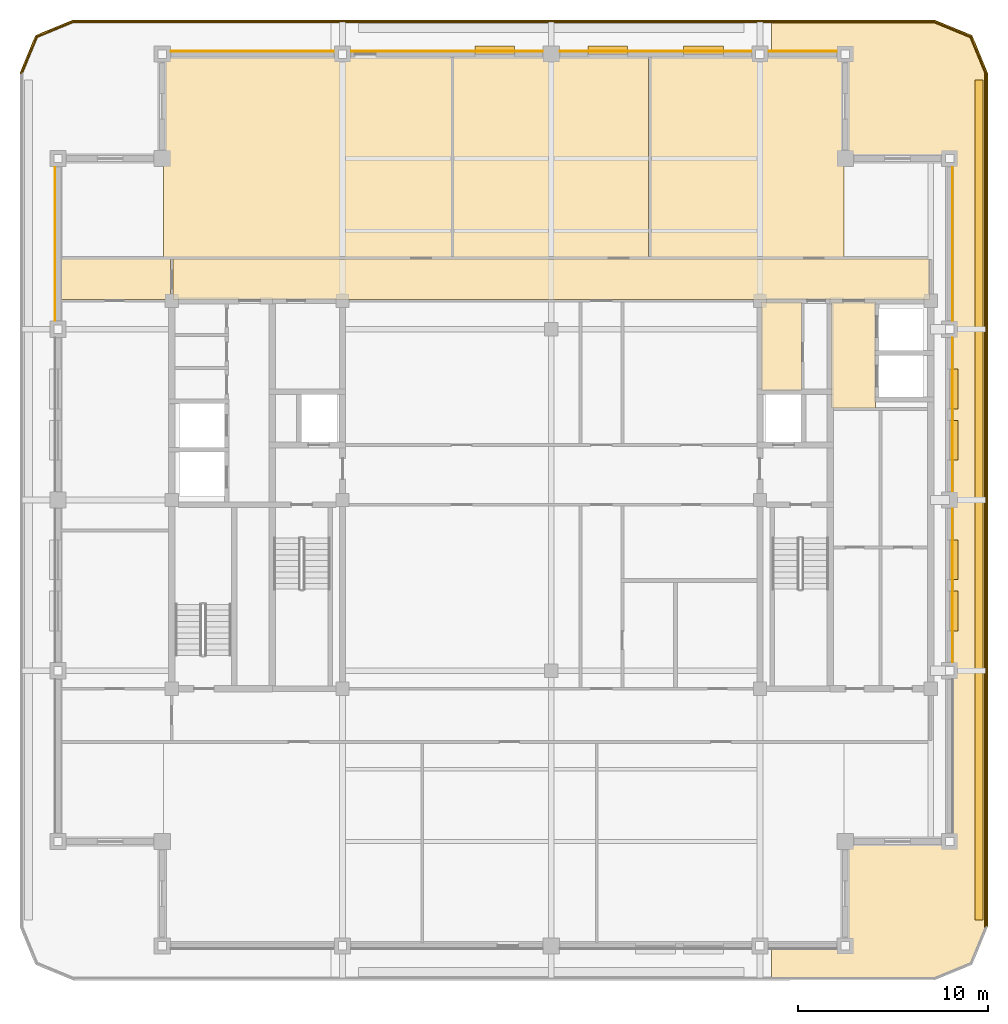
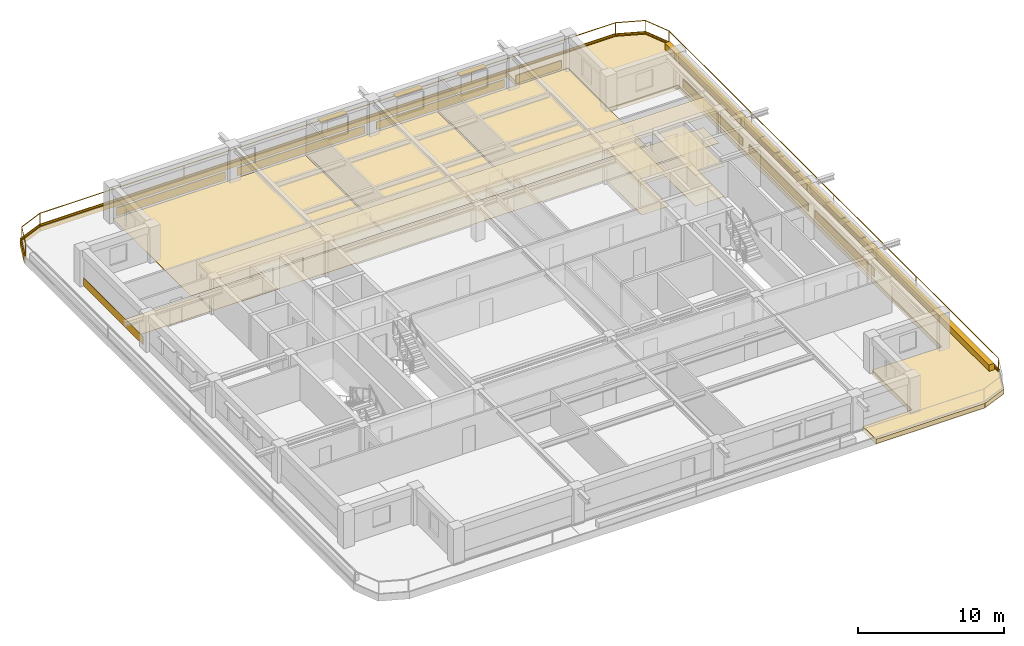
# One storey, part 11 of 11: 26 coverings, 7 shading devices, 2 railings.
"""IFC4 building model written with IfcOpenShell, lengths in metres."""

from ifc_helpers import new_model, si_unit, direction, frame, frame_2d, origin, origin_2d, place, context, subcontext, project, spatial, polyline, rectangle, outline, extrude, material, layer, layer_set, type_object, element, save


model = new_model("IFC4")

# Units and contexts
model_context = context("Model", 3, precision=1e-05, world=origin(), true_north=direction((0.0, 1.0)))
body_context = subcontext(model_context, "Body", "Model", "MODEL_VIEW")
ifc_project = project(units=[si_unit("LENGTHUNIT", "METRE"), si_unit("AREAUNIT", "SQUARE_METRE"), si_unit("VOLUMEUNIT", "CUBIC_METRE"), si_unit("PLANEANGLEUNIT", "RADIAN"), si_unit("MASSUNIT", "GRAM", prefix="KILO")], contexts=[model_context])

# Site, building, storey
site_placement = place(None, origin())
site = spatial("IfcSite", under=ifc_project, at=site_placement, CompositionType="ELEMENT")
building_placement = place(site_placement, origin())
building = spatial("IfcBuilding", under=site, at=building_placement, Name="Zulmaris Gate Convention Tower", CompositionType="ELEMENT")
storey_placement = place(building_placement, frame((0.0, 0.0, 257.659912109375)))
storey = spatial("IfcBuildingStorey", under=building, at=storey_placement, Name="L68", CompositionType="ELEMENT", Elevation=257.659912109375)

# Coverings
ifc_material_1 = material(Name="Precast concrete C40/50", Category="concrete")
ifc_layer_1 = layer(ifc_material_1, 0.0400390625, Name="Precast concrete C40/50")
ifc_layer_set_1 = layer_set([ifc_layer_1], Name="Precast concrete C40/50")
covering_type_1 = type_object("IfcCoveringType", Name="CLAD-SPANDREL-PRECAST", PredefinedType="CLADDING", material=ifc_layer_set_1)
covering_1_placement = place(storey_placement, frame((-11.455078125, 23.64990234375, 0.0), z_axis=(0.0, 0.0, 1.0), x_axis=(-1.0, 0.0, 0.0)))
element("IfcCovering", 1, at=covering_1_placement, inside=storey, type_object=covering_type_1, Name="CLD-L68-N-0_0", PredefinedType="CLADDING", context=body_context, shape_type="SweptSolid", body=[
    extrude(rectangle(XDim=8.58984375, YDim=0.0400390625, at=frame_2d((4.294921875, 0.0))), origin(), (0.0, 0.0, 1.0), 0.679931640625),
])
for number, where, z_axis, x_axis, name in (
    (2, (-0.455078125, 23.64990234375, 0.0), (0.0, 0.0, 1.0), (-1.0, 0.0, 0.0), "CLD-L68-N-1_0"),
    (3, (10.544921875, 23.64990234375, 0.0), (0.0, 0.0, 1.0), (-1.0, 0.0, 0.0), "CLD-L68-N-2_0"),
):
    element("IfcCovering", number, at=place(storey_placement, frame(where, z_axis=z_axis, x_axis=x_axis)), inside=storey, type_object=covering_type_1, Name=name, PredefinedType="CLADDING", context=body_context, shape_type="SweptSolid", body=[
        extrude(rectangle(XDim=10.08984375, YDim=0.0400390625, at=frame_2d((5.044921875, 0.0))), origin(), (0.0, 0.0, 1.0), 0.679931640625),
    ])
covering_2_placement = place(storey_placement, frame((15.044921875, 23.64990234375, 0.0), z_axis=(0.0, 0.0, 1.0), x_axis=(-1.0, 0.0, 0.0)))
element("IfcCovering", 4, at=covering_2_placement, inside=storey, type_object=covering_type_1, Name="CLD-L68-N-3_0", PredefinedType="CLADDING", context=body_context, shape_type="SweptSolid", body=[
    extrude(rectangle(XDim=3.58984375, YDim=0.0400390625, at=frame_2d((1.794921875, 0.0))), origin(), (0.0, 0.0, 1.0), 0.679931640625),
])
for number, where, z_axis, x_axis, name in (
    (5, (21.14990234375, -8.544921875, 0.0), (0.0, 0.0, 1.0), (0.0, 1.0, 0.0), "CLD-L68-E-1_0"),
    (6, (21.14990234375, 0.455078125, 0.0), (0.0, 0.0, 1.0), (0.0, 1.0, 0.0), "CLD-L68-E-2_0"),
    (7, (21.14990234375, 9.455078125, 0.0), (0.0, 0.0, 1.0), (0.0, 1.0, 0.0), "CLD-L68-E-3_0"),
    (8, (-26.14990234375, 17.544921875, 0.0), (0.0, 0.0, 1.0), (0.0, -1.0, 0.0), "CLD-L68-W-3_0"),
):
    element("IfcCovering", number, at=place(storey_placement, frame(where, z_axis=z_axis, x_axis=x_axis)), inside=storey, type_object=covering_type_1, Name=name, PredefinedType="CLADDING", context=body_context, shape_type="SweptSolid", body=[
        extrude(rectangle(XDim=8.08984375, YDim=0.0400390625, at=frame_2d((4.044921875, 0.0))), origin(), (0.0, 0.0, 1.0), 0.679931640625),
    ])
ifc_material_2 = material(Name="White Glazed Architectural Precast Concrete C40/50", Category="concrete")
ifc_layer_2 = layer(ifc_material_2, 0.239990234375, Name="White Glazed Architectural Precast Concrete C40/50")
ifc_layer_set_2 = layer_set([ifc_layer_2], Name="White Glazed Architectural Precast Concrete C40/50")
covering_type_2 = type_object("IfcCoveringType", Name="CLAD-TRAY-DECK", PredefinedType="CLADDING", material=ifc_layer_set_2)
covering_3_placement = place(storey_placement, frame((0.0, 0.0, -0.425048828125)))
element("IfcCovering", 9, at=covering_3_placement, inside=storey, type_object=covering_type_2, Name="L68 East Rounded-Fascia Planter Tray Deck", PredefinedType="CLADDING", context=body_context, shape_type="SweptSolid", body=[
    extrude(outline(polyline([(20.199951171875, 25.300048828125), (22.179931640625, 24.47998046875), (23.0, 22.5), (23.0, -22.5), (22.179931640625, -24.47998046875), (20.199951171875, -25.300048828125), (11.60205078125, -25.300048828125), (11.60205078125, -23.5), (15.5, -23.5), (15.5, -18.0), (21.0, -18.0), (21.0, 18.0), (15.5, 18.0), (15.5, 23.5), (11.60205078125, 23.5), (11.60205078125, 25.300048828125), (20.199951171875, 25.300048828125)])), origin(), (0.0, 0.0, 1.0), 0.385009765625),
])
ifc_layer_3 = layer(ifc_material_2, 0.080078125, Name="White Glazed Architectural Precast Concrete C40/50")
ifc_layer_set_3 = layer_set([ifc_layer_3], Name="White Glazed Architectural Precast Concrete C40/50")
covering_type_3 = type_object("IfcCoveringType", Name="CLAD-TRAY-FASCIA", PredefinedType="CLADDING", material=ifc_layer_set_3)
covering_4_placement = place(storey_placement, frame((22.9599609375, -22.5, -0.465087890625), z_axis=(0.0, 0.0, 1.0), x_axis=(0.0, 1.0, 0.0)))
element("IfcCovering", 10, at=covering_4_placement, inside=storey, type_object=covering_type_3, Name="FSC-L68-TR-05", PredefinedType="CLADDING", context=body_context, shape_type="SweptSolid", body=[
    extrude(rectangle(XDim=45.0, YDim=0.080078125, at=frame_2d((22.5, 0.0))), origin(), (0.0, 0.0, 1.0), 0.5849609375),
])
covering_5_placement = place(storey_placement, frame((22.962890625, 22.484619140625, -0.465087890625), z_axis=(0.0, 0.0, 1.0), x_axis=(-0.382656984709, 0.923890487046, 0.0)))
element("IfcCovering", 11, at=covering_5_placement, inside=storey, type_object=covering_type_3, Name="FSC-L68-TR-06", PredefinedType="CLADDING", context=body_context, shape_type="SweptSolid", body=[
    extrude(rectangle(XDim=2.14306640625, YDim=0.080078125, at=frame_2d((1.071533203125, 0.0))), origin(), (0.0, 0.0, 1.0), 0.5849609375),
])
covering_6_placement = place(storey_placement, frame((22.16455078125, 24.44287109375, -0.465087890625), z_axis=(0.0, 0.0, 1.0), x_axis=(-0.923873803533, 0.382697263049, 0.0)))
element("IfcCovering", 12, at=covering_6_placement, inside=storey, type_object=covering_type_3, Name="FSC-L68-TR-07", PredefinedType="CLADDING", context=body_context, shape_type="SweptSolid", body=[
    extrude(rectangle(XDim=2.142822265625, YDim=0.080078125, at=frame_2d((1.0712890625, 0.0))), origin(), (0.0, 0.0, 1.0), 0.5849609375),
])
covering_7_placement = place(storey_placement, frame((20.199951171875, 25.260009765625, -0.465087890625), z_axis=(0.0, 0.0, 1.0), x_axis=(-1.0, 0.0, 0.0)))
element("IfcCovering", 13, at=covering_7_placement, inside=storey, type_object=covering_type_3, Name="FSC-L68-TR-08", PredefinedType="CLADDING", context=body_context, shape_type="SweptSolid", body=[
    extrude(rectangle(XDim=45.39990234375, YDim=0.080078125, at=frame_2d((22.699951171875, 0.0))), origin(), (0.0, 0.0, 1.0), 0.5849609375),
])
covering_8_placement = place(storey_placement, frame((-25.184814453125, 25.262939453125, -0.465087890625), z_axis=(0.0, 0.0, 1.0), x_axis=(-0.923873803533, -0.382697263049, 0.0)))
element("IfcCovering", 14, at=covering_8_placement, inside=storey, type_object=covering_type_3, Name="FSC-L68-TR-09", PredefinedType="CLADDING", context=body_context, shape_type="SweptSolid", body=[
    extrude(rectangle(XDim=2.142822265625, YDim=0.080078125, at=frame_2d((1.0712890625, 0.0))), origin(), (0.0, 0.0, 1.0), 0.5849609375),
])
covering_9_placement = place(storey_placement, frame((-27.142822265625, 24.464599609375, -0.465087890625), z_axis=(0.0, 0.0, 1.0), x_axis=(-0.382656984709, -0.923890487046, 0.0)))
element("IfcCovering", 15, at=covering_9_placement, inside=storey, type_object=covering_type_3, Name="FSC-L68-TR-10", PredefinedType="CLADDING", context=body_context, shape_type="SweptSolid", body=[
    extrude(rectangle(XDim=2.14306640625, YDim=0.080078125, at=frame_2d((1.071533203125, 0.0))), origin(), (0.0, 0.0, 1.0), 0.5849609375),
])
ifc_material_3 = material(Name="Mineral Fibre Acoustic Ceiling Tile")
ifc_layer_4 = layer(ifc_material_3, 0.02001953125, Name="Mineral Fibre Acoustic Ceiling Tile")
ifc_layer_set_4 = layer_set([ifc_layer_4], Name="Mineral Fibre Acoustic Ceiling Tile")
covering_type_4 = type_object("IfcCoveringType", Name="CLG-ACOUSTIC-600", PredefinedType="CEILING", material=ifc_layer_set_4)
covering_10_placement = place(storey_placement, frame((0.0, 0.0, 2.5380859375)))
element("IfcCovering", 16, at=covering_10_placement, inside=storey, type_object=covering_type_4, Name="CLG-L68-R12", PredefinedType="CEILING", context=body_context, shape_type="SweptSolid", body=[
    extrude(outline(polyline([(11.06005859375, 5.760009765625), (13.18994140625, 5.760009765625), (13.18994140625, 10.43994140625), (11.06005859375, 10.43994140625), (11.06005859375, 5.760009765625)])), origin(), (0.0, 0.0, 1.0), 0.02001953125),
])
covering_11_placement = place(storey_placement, frame((0.0, 0.0, 2.5380859375)))
element("IfcCovering", 17, at=covering_11_placement, inside=storey, type_object=covering_type_4, Name="CLG-L68-R24", PredefinedType="CEILING", context=body_context, shape_type="SweptSolid", body=[
    extrude(outline(polyline([(14.760009765625, 4.860107421875), (17.090087890625, 4.860107421875), (17.090087890625, 10.43994140625), (14.760009765625, 10.43994140625), (14.760009765625, 4.860107421875)])), origin(), (0.0, 0.0, 1.0), 0.02001953125),
])
covering_12_placement = place(storey_placement, frame((0.0, 0.0, 2.5380859375)))
element("IfcCovering", 18, at=covering_12_placement, inside=storey, type_object=covering_type_4, Name="CLG-L68-R31", PredefinedType="CEILING", context=body_context, shape_type="SweptSolid", body=[
    extrude(outline(polyline([(-19.93994140625, 10.56005859375), (19.93994140625, 10.56005859375), (19.93994140625, 12.68994140625), (-19.93994140625, 12.68994140625), (-19.93994140625, 10.56005859375)])), origin(), (0.0, 0.0, 1.0), 0.02001953125),
])
ifc_material_4 = material(Name="Woven Acoustic Wool Carpet Tile")
ifc_layer_5 = layer(ifc_material_4, 0.02001953125, Name="Woven Acoustic Wool Carpet Tile")
ifc_layer_set_5 = layer_set([ifc_layer_5], Name="Woven Acoustic Wool Carpet Tile")
covering_type_5 = type_object("IfcCoveringType", Name="FLR-CARPET-12", PredefinedType="FLOORING", material=ifc_layer_set_5)
covering_13_placement = place(storey_placement, origin())
element("IfcCovering", 19, at=covering_13_placement, inside=storey, type_object=covering_type_5, Name="FLR-L68-R12", PredefinedType="FLOORING", context=body_context, shape_type="SweptSolid", body=[
    extrude(outline(polyline([(11.06005859375, 5.760009765625), (13.18994140625, 5.760009765625), (13.18994140625, 10.43994140625), (11.06005859375, 10.43994140625), (11.06005859375, 5.760009765625)])), origin(), (0.0, 0.0, 1.0), 0.02001953125),
])
covering_14_placement = place(storey_placement, origin())
element("IfcCovering", 20, at=covering_14_placement, inside=storey, type_object=covering_type_5, Name="FLR-L68-R24", PredefinedType="FLOORING", context=body_context, shape_type="SweptSolid", body=[
    extrude(outline(polyline([(14.760009765625, 4.860107421875), (17.090087890625, 4.860107421875), (17.090087890625, 10.43994140625), (14.760009765625, 10.43994140625), (14.760009765625, 4.860107421875)])), origin(), (0.0, 0.0, 1.0), 0.02001953125),
])
covering_15_placement = place(storey_placement, origin())
element("IfcCovering", 21, at=covering_15_placement, inside=storey, type_object=covering_type_5, Name="FLR-L68-R31", PredefinedType="FLOORING", context=body_context, shape_type="SweptSolid", body=[
    extrude(outline(polyline([(-19.93994140625, 10.56005859375), (19.93994140625, 10.56005859375), (19.93994140625, 12.68994140625), (-19.93994140625, 12.68994140625), (-19.93994140625, 10.56005859375)])), origin(), (0.0, 0.0, 1.0), 0.02001953125),
])
covering_16_placement = place(storey_placement, origin())
element("IfcCovering", 22, at=covering_16_placement, inside=storey, type_object=covering_type_5, Name="FLR-L68-R37", PredefinedType="FLOORING", context=body_context, shape_type="SweptSolid", body=[
    extrude(outline(polyline([(-5.139892578125, 12.81005859375), (5.139892578125, 12.81005859375), (5.139892578125, 23.43994140625), (-5.139892578125, 23.43994140625), (-5.139892578125, 12.81005859375)])), origin(), (0.0, 0.0, 1.0), 0.02001953125),
])
covering_17_placement = place(storey_placement, origin())
element("IfcCovering", 23, at=covering_17_placement, inside=storey, type_object=covering_type_5, Name="FLR-L68-R38", PredefinedType="FLOORING", context=body_context, shape_type="SweptSolid", body=[
    extrude(outline(polyline([(5.260009765625, 12.81005859375), (15.43994140625, 12.81005859375), (15.43994140625, 23.43994140625), (5.260009765625, 23.43994140625), (5.260009765625, 12.81005859375)])), origin(), (0.0, 0.0, 1.0), 0.02001953125),
])
covering_18_placement = place(storey_placement, origin())
element("IfcCovering", 24, at=covering_18_placement, inside=storey, type_object=covering_type_5, Name="FLR-L68-R48", PredefinedType="FLOORING", context=body_context, shape_type="SweptSolid", body=[
    extrude(outline(polyline([(-25.93994140625, 10.56005859375), (-20.06005859375, 10.56005859375), (-20.06005859375, 12.68994140625), (-25.93994140625, 12.68994140625), (-25.93994140625, 10.56005859375)])), origin(), (0.0, 0.0, 1.0), 0.02001953125),
])
ifc_material_5 = material(Name="Engineered Teak Parquet Flooring")
ifc_layer_6 = layer(ifc_material_5, 0.02001953125, Name="Engineered Teak Parquet Flooring")
ifc_layer_set_6 = layer_set([ifc_layer_6], Name="Engineered Teak Parquet Flooring")
covering_type_6 = type_object("IfcCoveringType", Name="FLR-TIMBER-18", PredefinedType="FLOORING", material=ifc_layer_set_6)
covering_19_placement = place(storey_placement, origin())
element("IfcCovering", 25, at=covering_19_placement, inside=storey, type_object=covering_type_6, Name="FLR-L68-R36", PredefinedType="FLOORING", context=body_context, shape_type="SweptSolid", body=[
    extrude(outline(polyline([(-20.43994140625, 12.81005859375), (-5.260009765625, 12.81005859375), (-5.260009765625, 23.43994140625), (-20.43994140625, 23.43994140625), (-20.43994140625, 12.81005859375)])), origin(), (0.0, 0.0, 1.0), 0.02001953125),
])
ifc_material_6 = material(Name="Botanical Green Glazed Precast Concrete C40/50", Category="concrete")
ifc_layer_7 = layer(ifc_material_6, 0.419921875, Name="Botanical Green Glazed Precast Concrete C40/50")
ifc_layer_set_7 = layer_set([ifc_layer_7], Name="Botanical Green Glazed Precast Concrete C40/50")
covering_type_7 = type_object("IfcCoveringType", Name="PLANTER-BOX-200", PredefinedType="CLADDING", material=ifc_layer_set_7)
covering_20_placement = place(storey_placement, frame((0.0, 0.0, -0.0400390625)))
element("IfcCovering", 26, at=covering_20_placement, inside=storey, type_object=covering_type_7, Name="L68 E Full-Length Balcony Tree Planter Trough", PredefinedType="CLADDING", context=body_context, shape_type="SweptSolid", body=[
    extrude(outline(polyline([(22.340087890625, -22.14990234375), (22.760009765625, -22.14990234375), (22.760009765625, 22.14990234375), (22.340087890625, 22.14990234375), (22.340087890625, -22.14990234375)])), origin(), (0.0, 0.0, 1.0), 0.52001953125),
])

# Railings
ifc_material_7 = material(Name="Laminated Glass and Stainless Steel", Category="steel")
railing_type = type_object("IfcRailingType", Name="RL-BALC-1150", PredefinedType="BALUSTRADE", material=ifc_material_7)
railing_1_placement = place(storey_placement, frame((22.8798828125, -22.5, -0.0400390625)))
element("IfcRailing", 27, at=railing_1_placement, inside=storey, type_object=railing_type, Name="RL-L68-BALC-E", PredefinedType="BALUSTRADE", context=body_context, shape_type="SweptSolid", body=[
    extrude(rectangle(XDim=0.048095703125, YDim=0.048095703125, at=origin_2d()), frame((0.0, 0.0, 1.1259765625), z_axis=(0.0, 1.0, 0.0), x_axis=(-1.0, 0.0, 0.0)), (0.0, 0.0, 1.0), 45.0),
    extrude(rectangle(XDim=0.048095703125, YDim=0.048095703125, at=origin_2d()), frame((0.0, 0.0, 0.02392578125), z_axis=(0.0, 1.0, 0.0), x_axis=(-1.0, 0.0, 0.0)), (0.0, 0.0, 1.0), 45.0),
    extrude(rectangle(XDim=0.0419921875, YDim=0.0419921875, at=origin_2d()), origin(), (0.0, 0.0, 1.0), 1.101806640625),
    extrude(rectangle(XDim=0.0419921875, YDim=0.0419921875, at=origin_2d()), frame((0.0, 11.25, 0.0)), (0.0, 0.0, 1.0), 1.101806640625),
    extrude(rectangle(XDim=0.0419921875, YDim=0.0419921875, at=origin_2d()), frame((0.0, 22.5, 0.0)), (0.0, 0.0, 1.0), 1.101806640625),
    extrude(rectangle(XDim=0.0419921875, YDim=0.0419921875, at=origin_2d()), frame((0.0, 33.75, 0.0)), (0.0, 0.0, 1.0), 1.101806640625),
    extrude(rectangle(XDim=0.0419921875, YDim=0.0419921875, at=origin_2d()), frame((0.0, 45.0, 0.0)), (0.0, 0.0, 1.0), 1.101806640625),
])
railing_2_placement = place(storey_placement, frame((22.8798828125, 22.5, -0.0400390625)))
element("IfcRailing", 28, at=railing_2_placement, inside=storey, type_object=railing_type, Name="RL-L68-BALC-N", PredefinedType="BALUSTRADE", context=body_context, shape_type="SweptSolid", body=[
    extrude(rectangle(XDim=0.048095703125, YDim=0.048095703125, at=origin_2d()), frame((0.0, 0.0, 1.1259765625), z_axis=(-0.382670664694, 0.92388482095, 0.0), x_axis=(-0.92388482095, -0.382670664694, 0.0)), (0.0, 0.0, 1.0), 2.051025390625),
    extrude(rectangle(XDim=0.048095703125, YDim=0.048095703125, at=origin_2d()), frame((0.0, 0.0, 0.02392578125), z_axis=(-0.382670664694, 0.92388482095, 0.0), x_axis=(-0.92388482095, -0.382670664694, 0.0)), (0.0, 0.0, 1.0), 2.051025390625),
    extrude(rectangle(XDim=0.048095703125, YDim=0.048095703125, at=origin_2d()), frame((-0.784912109375, 1.89501953125, 1.1259765625), z_axis=(-0.92388482095, 0.382670664694, 0.0), x_axis=(-0.382670664694, -0.92388482095, 0.0)), (0.0, 0.0, 1.0), 2.051025390625),
    extrude(rectangle(XDim=0.048095703125, YDim=0.048095703125, at=origin_2d()), frame((-0.784912109375, 1.89501953125, 0.02392578125), z_axis=(-0.92388482095, 0.382670664694, 0.0), x_axis=(-0.382670664694, -0.92388482095, 0.0)), (0.0, 0.0, 1.0), 2.051025390625),
    extrude(rectangle(XDim=0.048095703125, YDim=0.048095703125, at=origin_2d()), frame((-2.679931640625, 2.679931640625, 1.1259765625), z_axis=(-1.0, 0.0, 0.0), x_axis=(0.0, -1.0, 0.0)), (0.0, 0.0, 1.0), 45.39990234375),
    extrude(rectangle(XDim=0.048095703125, YDim=0.048095703125, at=origin_2d()), frame((-2.679931640625, 2.679931640625, 0.02392578125), z_axis=(-1.0, 0.0, 0.0), x_axis=(0.0, -1.0, 0.0)), (0.0, 0.0, 1.0), 45.39990234375),
    extrude(rectangle(XDim=0.048095703125, YDim=0.048095703125, at=origin_2d()), frame((-48.079833984375, 2.679931640625, 1.1259765625), z_axis=(-0.92388482095, -0.382670664694, 0.0), x_axis=(0.382670664694, -0.92388482095, 0.0)), (0.0, 0.0, 1.0), 2.051025390625),
    extrude(rectangle(XDim=0.048095703125, YDim=0.048095703125, at=origin_2d()), frame((-48.079833984375, 2.679931640625, 0.02392578125), z_axis=(-0.92388482095, -0.382670664694, 0.0), x_axis=(0.382670664694, -0.92388482095, 0.0)), (0.0, 0.0, 1.0), 2.051025390625),
    extrude(rectangle(XDim=0.048095703125, YDim=0.048095703125, at=origin_2d()), frame((-49.974853515625, 1.89501953125, 1.1259765625), z_axis=(-0.382670664694, -0.92388482095, 0.0), x_axis=(0.92388482095, -0.382670664694, 0.0)), (0.0, 0.0, 1.0), 2.051025390625),
    extrude(rectangle(XDim=0.048095703125, YDim=0.048095703125, at=origin_2d()), frame((-49.974853515625, 1.89501953125, 0.02392578125), z_axis=(-0.382670664694, -0.92388482095, 0.0), x_axis=(0.92388482095, -0.382670664694, 0.0)), (0.0, 0.0, 1.0), 2.051025390625),
    extrude(rectangle(XDim=0.0419921875, YDim=0.0419921875, at=origin_2d()), origin(), (0.0, 0.0, 1.0), 1.101806640625),
    extrude(rectangle(XDim=0.0419921875, YDim=0.0419921875, at=origin_2d()), frame((-0.784912109375, 1.89501953125, 0.0)), (0.0, 0.0, 1.0), 1.101806640625),
    extrude(rectangle(XDim=0.0419921875, YDim=0.0419921875, at=origin_2d()), frame((-2.679931640625, 2.679931640625, 0.0)), (0.0, 0.0, 1.0), 1.101806640625),
    extrude(rectangle(XDim=0.0419921875, YDim=0.0419921875, at=origin_2d()), frame((-14.02978515625, 2.679931640625, 0.0)), (0.0, 0.0, 1.0), 1.101806640625),
    extrude(rectangle(XDim=0.0419921875, YDim=0.0419921875, at=origin_2d()), frame((-25.3798828125, 2.679931640625, 0.0)), (0.0, 0.0, 1.0), 1.101806640625),
    extrude(rectangle(XDim=0.0419921875, YDim=0.0419921875, at=origin_2d()), frame((-36.72998046875, 2.679931640625, 0.0)), (0.0, 0.0, 1.0), 1.101806640625),
    extrude(rectangle(XDim=0.0419921875, YDim=0.0419921875, at=origin_2d()), frame((-48.079833984375, 2.679931640625, 0.0)), (0.0, 0.0, 1.0), 1.101806640625),
    extrude(rectangle(XDim=0.0419921875, YDim=0.0419921875, at=origin_2d()), frame((-49.974853515625, 1.89501953125, 0.0)), (0.0, 0.0, 1.0), 1.101806640625),
    extrude(rectangle(XDim=0.0419921875, YDim=0.0419921875, at=origin_2d()), frame((-50.759765625, 0.0, 0.0)), (0.0, 0.0, 1.0), 1.101806640625),
])

# Shading devices
ifc_material_8 = material(Name="Glazed Ceramic Terracotta", Category="masonry")
ifc_layer_8 = layer(ifc_material_8, 0.070068359375, Name="Glazed Ceramic Terracotta")
ifc_layer_set_8 = layer_set([ifc_layer_8], Name="Glazed Ceramic Terracotta")
shading_device_type = type_object("IfcShadingDeviceType", Name="SHD-SUNSHADE-TC", PredefinedType="AWNING", material=ifc_layer_set_8)
for number, where, z_axis, x_axis, name in (
    (29, (-1.927001953125, 23.719970703125, 2.22998046875), (0.0, 0.0, 1.0), (-1.0, 0.0, 0.0), "SHD-EW-L68-N-1_0-1"),
    (30, (9.072998046875, 23.719970703125, 2.22998046875), (0.0, 0.0, 1.0), (-1.0, 0.0, 0.0), "SHD-EW-L68-N-2_0-1"),
    (31, (4.027099609375, 23.719970703125, 2.22998046875), (0.0, 0.0, 1.0), (-1.0, 0.0, 0.0), "SHD-EW-L68-N-2_0-3"),
):
    element("IfcShadingDevice", number, at=place(storey_placement, frame(where, z_axis=z_axis, x_axis=x_axis)), inside=storey, type_object=shading_device_type, Name=name, PredefinedType="AWNING", context=body_context, shape_type="SweptSolid", body=[
        extrude(rectangle(XDim=2.10009765625, YDim=0.43994140625, at=frame_2d((1.050048828125, 0.0))), origin(), (0.0, 0.0, 1.0), 0.070068359375),
    ])
for number, where, z_axis, x_axis, name in (
    (32, (21.219970703125, -6.89794921875, 2.22998046875), (0.0, 0.0, 1.0), (0.0, 1.0, 0.0), "SHD-EW-L68-E-1_0-1"),
    (33, (21.219970703125, -4.201904296875, 2.22998046875), (0.0, 0.0, 1.0), (0.0, 1.0, 0.0), "SHD-EW-L68-E-1_0-2"),
    (34, (21.219970703125, 2.10205078125, 2.22998046875), (0.0, 0.0, 1.0), (0.0, 1.0, 0.0), "SHD-EW-L68-E-2_0-1"),
    (35, (21.219970703125, 4.798095703125, 2.22998046875), (0.0, 0.0, 1.0), (0.0, 1.0, 0.0), "SHD-EW-L68-E-2_0-2"),
):
    element("IfcShadingDevice", number, at=place(storey_placement, frame(where, z_axis=z_axis, x_axis=x_axis)), inside=storey, type_object=shading_device_type, Name=name, PredefinedType="AWNING", context=body_context, shape_type="SweptSolid", body=[
        extrude(rectangle(XDim=2.099853515625, YDim=0.43994140625, at=frame_2d((1.0498046875, 0.0))), origin(), (0.0, 0.0, 1.0), 0.070068359375),
    ])

save(model, "model.ifc")
